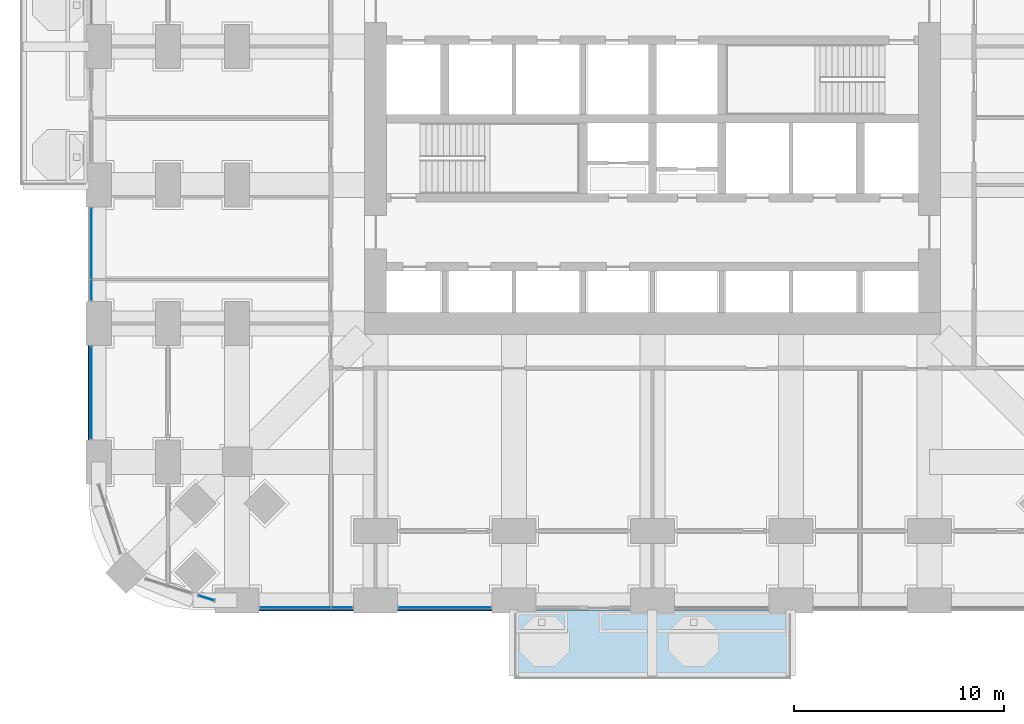
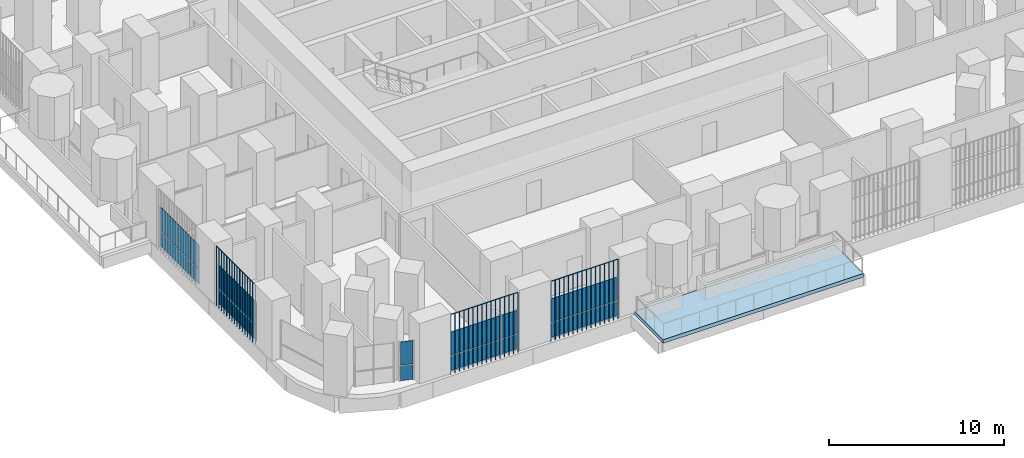
# One storey, part 11 of 26: 17 plates, 1 slab, 5 elements without a shape of their own.
"""IFC4 building model written with IfcOpenShell, lengths in metres."""

from ifc_helpers import new_model, si_unit, direction, frame, origin, origin_2d, place, context, subcontext, project, spatial, polyline, rectangle, outline, extrude, material, layer, layer_set, type_object, element, aggregate, save


model = new_model("IFC4")

# Units and contexts
model_context = context("Model", 3, precision=1e-05, world=origin(), true_north=direction((0.0, 1.0)))
body_context = subcontext(model_context, "Body", "Model", "MODEL_VIEW")
ifc_project = project(units=[si_unit("LENGTHUNIT", "METRE"), si_unit("AREAUNIT", "SQUARE_METRE"), si_unit("VOLUMEUNIT", "CUBIC_METRE"), si_unit("PLANEANGLEUNIT", "RADIAN"), si_unit("MASSUNIT", "GRAM", prefix="KILO")], contexts=[model_context])

# Site, building, storey
site_placement = place(None, origin())
site = spatial("IfcSite", under=ifc_project, at=site_placement, CompositionType="ELEMENT")
building_placement = place(site_placement, origin())
building = spatial("IfcBuilding", under=site, at=building_placement, Name="Cobogo Forest Laboratory Tower", CompositionType="ELEMENT")
storey_placement = place(building_placement, frame((0.0, 0.0, 25.5)))
storey = spatial("IfcBuildingStorey", under=building, at=storey_placement, Name="L05", CompositionType="ELEMENT", Elevation=25.5)

# Slab
ifc_material_1 = material(Name="Concrete HA-40 (C40/50)", Category="concrete")
ifc_layer_1 = layer(ifc_material_1, 0.25)
ifc_layer_set_1 = layer_set([ifc_layer_1], Name="Balcony slab 250")
slab_type = type_object("IfcSlabType", Name="Balcony slab 250", PredefinedType="FLOOR", material=ifc_layer_set_1)
slab_placement = place(storey_placement, frame((0.0, 0.0, -0.25)))
element("IfcSlab", 1, at=slab_placement, inside=storey, type_object=slab_type, Name="Balcony BAL-S1 L05", PredefinedType="FLOOR", context=body_context, shape_type="SweptSolid", body=[
    extrude(outline(polyline([(19.800048828125, -3.75), (33.0, -3.75), (33.0, -0.449951171875), (19.800048828125, -0.449951171875), (19.800048828125, -3.75)])), origin(), (0.0, 0.0, 1.0), 0.25),
])

# Curtain wall, plates
ifc_material_2 = material(Name="Aluminium curtain wall", Category="aluminium")
curtain_wall_type = type_object("IfcCurtainWallType", Name="CW-1 unitised curtain wall, clear glazing, laboratory floors zones A and B", PredefinedType="USERDEFINED", material=ifc_material_2)
curtain_wall_1_placement = place(storey_placement, origin())
curtain_wall_1 = element("IfcCurtainWall", 2, at=curtain_wall_1_placement, inside=storey, type_object=curtain_wall_type, Name="Curtain wall 01 L05", ObjectType="UNITISED CURTAIN WALL", PredefinedType="USERDEFINED")
ifc_material_3 = material(Name="Clear insulated glass", Category="glass")
ifc_layer_2 = layer(ifc_material_3, 0.028076171875)
ifc_layer_set_2 = layer_set([ifc_layer_2], Name="GP-1 clear insulated glass unit 28")
plate_type_1 = type_object("IfcPlateType", Name="GP-1 clear insulated glass unit 28", PredefinedType="CURTAIN_PANEL", material=ifc_layer_set_2)
plate_1_placement = place(storey_placement, frame((9.37744140625, -0.35009765625, 0.0), z_axis=(0.0, 0.0, 1.0), x_axis=(1.0, 0.0, 0.0)))
plate_1 = element("IfcPlate", 3, at=plate_1_placement, type_object=plate_type_1, Name="CW-1 panel 1.1", PredefinedType="CURTAIN_PANEL", context=body_context, shape_type="SweptSolid", body=[
    extrude(rectangle(XDim=3.3349609375, YDim=0.028076171875, at=origin_2d()), origin(), (0.0, 0.0, 1.0), 1.02001953125),
])
plate_2_placement = place(storey_placement, frame((9.37744140625, -0.35009765625, 1.079833984375), z_axis=(0.0, 0.0, 1.0), x_axis=(1.0, 0.0, 0.0)))
plate_2 = element("IfcPlate", 4, at=plate_2_placement, type_object=plate_type_1, Name="CW-1 panel 1.2", PredefinedType="CURTAIN_PANEL", context=body_context, shape_type="SweptSolid", body=[
    extrude(rectangle(XDim=3.3349609375, YDim=0.028076171875, at=origin_2d()), origin(), (0.0, 0.0, 1.0), 1.6201171875),
])
plate_3_placement = place(storey_placement, frame((11.597412109375, -0.35009765625, 0.0), z_axis=(0.0, 0.0, 1.0), x_axis=(1.0, 0.0, 0.0)))
plate_3 = element("IfcPlate", 5, at=plate_3_placement, type_object=plate_type_1, Name="CW-1 panel 2.1", PredefinedType="CURTAIN_PANEL", context=body_context, shape_type="SweptSolid", body=[
    extrude(rectangle(XDim=0.985107421875, YDim=0.028076171875, at=origin_2d()), origin(), (0.0, 0.0, 1.0), 1.02001953125),
])
plate_4_placement = place(storey_placement, frame((11.597412109375, -0.35009765625, 1.079833984375), z_axis=(0.0, 0.0, 1.0), x_axis=(1.0, 0.0, 0.0)))
plate_4 = element("IfcPlate", 6, at=plate_4_placement, type_object=plate_type_1, Name="CW-1 panel 2.2", PredefinedType="CURTAIN_PANEL", context=body_context, shape_type="SweptSolid", body=[
    extrude(rectangle(XDim=0.985107421875, YDim=0.028076171875, at=origin_2d()), origin(), (0.0, 0.0, 1.0), 1.6201171875),
])
aggregate(curtain_wall_1, [plate_1, plate_2, plate_3, plate_4])

curtain_wall_2_placement = place(storey_placement, origin())
curtain_wall_2 = element("IfcCurtainWall", 7, at=curtain_wall_2_placement, inside=storey, type_object=curtain_wall_type, Name="Curtain wall 02 L05", ObjectType="UNITISED CURTAIN WALL", PredefinedType="USERDEFINED")
plate_5_placement = place(storey_placement, frame((16.5, -0.35009765625, 0.0), z_axis=(0.0, 0.0, 1.0), x_axis=(1.0, 0.0, 0.0)))
plate_5 = element("IfcPlate", 8, at=plate_5_placement, type_object=plate_type_1, Name="CW-1 panel 1.1", PredefinedType="CURTAIN_PANEL", context=body_context, shape_type="SweptSolid", body=[
    extrude(rectangle(XDim=4.3798828125, YDim=0.028076171875, at=origin_2d()), origin(), (0.0, 0.0, 1.0), 1.02001953125),
])
plate_6_placement = place(storey_placement, frame((16.5, -0.35009765625, 1.079833984375), z_axis=(0.0, 0.0, 1.0), x_axis=(1.0, 0.0, 0.0)))
plate_6 = element("IfcPlate", 9, at=plate_6_placement, type_object=plate_type_1, Name="CW-1 panel 1.2", PredefinedType="CURTAIN_PANEL", context=body_context, shape_type="SweptSolid", body=[
    extrude(rectangle(XDim=4.3798828125, YDim=0.028076171875, at=origin_2d()), origin(), (0.0, 0.0, 1.0), 1.6201171875),
])
aggregate(curtain_wall_2, [plate_5, plate_6])

curtain_wall_3_placement = place(storey_placement, origin())
curtain_wall_3 = element("IfcCurtainWall", 10, at=curtain_wall_3_placement, inside=storey, type_object=curtain_wall_type, Name="Curtain wall 30 L05", ObjectType="UNITISED CURTAIN WALL", PredefinedType="USERDEFINED")
plate_7_placement = place(storey_placement, frame((-0.35009765625, 17.010009765625, 0.0), z_axis=(0.0, 0.0, 1.0), x_axis=(0.0, -1.0, 0.0)))
plate_7 = element("IfcPlate", 11, at=plate_7_placement, type_object=plate_type_1, Name="CW-1 panel 1.1", PredefinedType="CURTAIN_PANEL", context=body_context, shape_type="SweptSolid", body=[
    extrude(rectangle(XDim=3.360107421875, YDim=0.028076171875, at=origin_2d()), origin(), (0.0, 0.0, 1.0), 1.02001953125),
])
plate_8_placement = place(storey_placement, frame((-0.35009765625, 17.010009765625, 1.079833984375), z_axis=(0.0, 0.0, 1.0), x_axis=(0.0, -1.0, 0.0)))
plate_8 = element("IfcPlate", 12, at=plate_8_placement, type_object=plate_type_1, Name="CW-1 panel 1.2", PredefinedType="CURTAIN_PANEL", context=body_context, shape_type="SweptSolid", body=[
    extrude(rectangle(XDim=3.360107421875, YDim=0.028076171875, at=origin_2d()), origin(), (0.0, 0.0, 1.0), 1.6201171875),
])
plate_9_placement = place(storey_placement, frame((-0.35009765625, 14.7900390625, 0.0), z_axis=(0.0, 0.0, 1.0), x_axis=(0.0, -1.0, 0.0)))
plate_9 = element("IfcPlate", 13, at=plate_9_placement, type_object=plate_type_1, Name="CW-1 panel 2.1", PredefinedType="CURTAIN_PANEL", context=body_context, shape_type="SweptSolid", body=[
    extrude(rectangle(XDim=0.9599609375, YDim=0.028076171875, at=origin_2d()), origin(), (0.0, 0.0, 1.0), 1.02001953125),
])
plate_10_placement = place(storey_placement, frame((-0.35009765625, 14.7900390625, 1.079833984375), z_axis=(0.0, 0.0, 1.0), x_axis=(0.0, -1.0, 0.0)))
plate_10 = element("IfcPlate", 14, at=plate_10_placement, type_object=plate_type_1, Name="CW-1 panel 2.2", PredefinedType="CURTAIN_PANEL", context=body_context, shape_type="SweptSolid", body=[
    extrude(rectangle(XDim=0.9599609375, YDim=0.028076171875, at=origin_2d()), origin(), (0.0, 0.0, 1.0), 1.6201171875),
])
aggregate(curtain_wall_3, [plate_7, plate_8, plate_9, plate_10])

curtain_wall_4_placement = place(storey_placement, origin())
curtain_wall_4 = element("IfcCurtainWall", 15, at=curtain_wall_4_placement, inside=storey, type_object=curtain_wall_type, Name="Curtain wall 31 L05", ObjectType="UNITISED CURTAIN WALL", PredefinedType="USERDEFINED")
plate_11_placement = place(storey_placement, frame((-0.35009765625, 9.89990234375, 0.0), z_axis=(0.0, 0.0, 1.0), x_axis=(0.0, -1.0, 0.0)))
plate_11 = element("IfcPlate", 16, at=plate_11_placement, type_object=plate_type_1, Name="CW-1 panel 1.1", PredefinedType="CURTAIN_PANEL", context=body_context, shape_type="SweptSolid", body=[
    extrude(rectangle(XDim=4.3798828125, YDim=0.028076171875, at=origin_2d()), origin(), (0.0, 0.0, 1.0), 1.02001953125),
])
plate_12_placement = place(storey_placement, frame((-0.35009765625, 9.89990234375, 1.079833984375), z_axis=(0.0, 0.0, 1.0), x_axis=(0.0, -1.0, 0.0)))
plate_12 = element("IfcPlate", 17, at=plate_12_placement, type_object=plate_type_1, Name="CW-1 panel 1.2", PredefinedType="CURTAIN_PANEL", context=body_context, shape_type="SweptSolid", body=[
    extrude(rectangle(XDim=4.3798828125, YDim=0.028076171875, at=origin_2d()), origin(), (0.0, 0.0, 1.0), 1.6201171875),
])
aggregate(curtain_wall_4, [plate_11, plate_12])

curtain_wall_5_placement = place(storey_placement, origin())
curtain_wall_5 = element("IfcCurtainWall", 18, at=curtain_wall_5_placement, inside=storey, type_object=curtain_wall_type, Name="Curtain wall 34 L05", ObjectType="UNITISED CURTAIN WALL", PredefinedType="USERDEFINED")
plate_13_placement = place(storey_placement, frame((5.134033203125, 0.113037109375, 0.0), z_axis=(0.0, 0.0, 1.0), x_axis=(0.953581504428, -0.301135043481, 0.0)))
plate_13 = element("IfcPlate", 19, at=plate_13_placement, type_object=plate_type_1, Name="CW-1 panel 1.1", PredefinedType="CURTAIN_PANEL", context=body_context, shape_type="SweptSolid", body=[
    extrude(rectangle(XDim=0.75244140625, YDim=0.028076171875, at=origin_2d()), origin(), (0.0, 0.0, 1.0), 1.02001953125),
])
plate_14_placement = place(storey_placement, frame((5.134033203125, 0.113037109375, 1.079833984375), z_axis=(0.0, 0.0, 1.0), x_axis=(0.953581504428, -0.301135043481, 0.0)))
plate_14 = element("IfcPlate", 20, at=plate_14_placement, type_object=plate_type_1, Name="CW-1 panel 1.2", PredefinedType="CURTAIN_PANEL", context=body_context, shape_type="SweptSolid", body=[
    extrude(rectangle(XDim=0.75244140625, YDim=0.028076171875, at=origin_2d()), origin(), (0.0, 0.0, 1.0), 1.6201171875),
])
aggregate(curtain_wall_5, [plate_13, plate_14])

# Plates
ifc_material_4 = material(Name="Terracotta", Category="masonry")
plate_type_2 = type_object("IfcPlateType", Name="TB1 terracotta baguette screen", PredefinedType="USERDEFINED", material=ifc_material_4)
plate_15_placement = place(storey_placement, frame((7.68115234375, -0.477783203125, -0.14990234375)))
element("IfcPlate", 21, at=plate_15_placement, inside=storey, type_object=plate_type_2, Name="Baguette screen S1 L05", ObjectType="BAGUETTE SCREEN", PredefinedType="USERDEFINED", context=body_context, shape_type="SweptSolid", body=[
    extrude(outline(polyline([(0.02880859375, 0.011962890625), (0.011962890625, 0.02880859375), (-0.011962890625, 0.02880859375), (-0.02880859375, 0.011962890625), (-0.02880859375, -0.011962890625), (-0.011962890625, -0.02880859375), (0.011962890625, -0.02880859375), (0.02880859375, -0.011962890625), (0.02880859375, 0.011962890625)])), frame((0.0, 0.0, 4.168701171875), z_axis=(1.0, 0.0, 0.0), x_axis=(0.0, 1.0, 0.0)), (0.0, 0.0, 1.0), 4.4375),
    extrude(outline(polyline([(0.02880859375, 0.011962890625), (0.011962890625, 0.02880859375), (-0.011962890625, 0.02880859375), (-0.02880859375, 0.011962890625), (-0.02880859375, -0.011962890625), (-0.011962890625, -0.02880859375), (0.011962890625, -0.02880859375), (0.02880859375, -0.011962890625), (0.02880859375, 0.011962890625)])), origin(), (0.0, 0.0, 1.0), 4.137451171875),
    extrude(outline(polyline([(0.02880859375, 0.011962890625), (0.011962890625, 0.02880859375), (-0.011962890625, 0.02880859375), (-0.02880859375, 0.011962890625), (-0.02880859375, -0.011962890625), (-0.011962890625, -0.02880859375), (0.011962890625, -0.02880859375), (0.02880859375, -0.011962890625), (0.02880859375, 0.011962890625)])), frame((0.2958984375, 0.0, 0.0)), (0.0, 0.0, 1.0), 4.137451171875),
    extrude(outline(polyline([(0.02880859375, 0.011962890625), (0.011962890625, 0.02880859375), (-0.011962890625, 0.02880859375), (-0.02880859375, 0.011962890625), (-0.02880859375, -0.011962890625), (-0.011962890625, -0.02880859375), (0.011962890625, -0.02880859375), (0.02880859375, -0.011962890625), (0.02880859375, 0.011962890625)])), frame((0.591552734375, 0.0, 0.0)), (0.0, 0.0, 1.0), 4.137451171875),
    extrude(outline(polyline([(0.02880859375, 0.011962890625), (0.011962890625, 0.02880859375), (-0.011962890625, 0.02880859375), (-0.02880859375, 0.011962890625), (-0.02880859375, -0.011962890625), (-0.011962890625, -0.02880859375), (0.011962890625, -0.02880859375), (0.02880859375, -0.011962890625), (0.02880859375, 0.011962890625)])), frame((0.887451171875, 0.0, 0.0)), (0.0, 0.0, 1.0), 4.137451171875),
    extrude(outline(polyline([(0.02880859375, 0.011962890625), (0.011962890625, 0.02880859375), (-0.011962890625, 0.02880859375), (-0.02880859375, 0.011962890625), (-0.02880859375, -0.011962890625), (-0.011962890625, -0.02880859375), (0.011962890625, -0.02880859375), (0.02880859375, -0.011962890625), (0.02880859375, 0.011962890625)])), frame((1.183349609375, 0.0, 0.0)), (0.0, 0.0, 1.0), 4.137451171875),
    extrude(outline(polyline([(0.02880859375, 0.011962890625), (0.011962890625, 0.02880859375), (-0.011962890625, 0.02880859375), (-0.02880859375, 0.011962890625), (-0.02880859375, -0.011962890625), (-0.011962890625, -0.02880859375), (0.011962890625, -0.02880859375), (0.02880859375, -0.011962890625), (0.02880859375, 0.011962890625)])), frame((1.479248046875, 0.0, 0.0)), (0.0, 0.0, 1.0), 4.137451171875),
    extrude(outline(polyline([(0.02880859375, 0.011962890625), (0.011962890625, 0.02880859375), (-0.011962890625, 0.02880859375), (-0.02880859375, 0.011962890625), (-0.02880859375, -0.011962890625), (-0.011962890625, -0.02880859375), (0.011962890625, -0.02880859375), (0.02880859375, -0.011962890625), (0.02880859375, 0.011962890625)])), frame((1.77490234375, 0.0, 0.0)), (0.0, 0.0, 1.0), 4.137451171875),
    extrude(outline(polyline([(0.02880859375, 0.011962890625), (0.011962890625, 0.02880859375), (-0.011962890625, 0.02880859375), (-0.02880859375, 0.011962890625), (-0.02880859375, -0.011962890625), (-0.011962890625, -0.02880859375), (0.011962890625, -0.02880859375), (0.02880859375, -0.011962890625), (0.02880859375, 0.011962890625)])), frame((2.07080078125, 0.0, 0.0)), (0.0, 0.0, 1.0), 4.137451171875),
    extrude(outline(polyline([(0.02880859375, 0.011962890625), (0.011962890625, 0.02880859375), (-0.011962890625, 0.02880859375), (-0.02880859375, 0.011962890625), (-0.02880859375, -0.011962890625), (-0.011962890625, -0.02880859375), (0.011962890625, -0.02880859375), (0.02880859375, -0.011962890625), (0.02880859375, 0.011962890625)])), frame((2.36669921875, 0.0, 0.0)), (0.0, 0.0, 1.0), 4.137451171875),
    extrude(outline(polyline([(0.02880859375, 0.011962890625), (0.011962890625, 0.02880859375), (-0.011962890625, 0.02880859375), (-0.02880859375, 0.011962890625), (-0.02880859375, -0.011962890625), (-0.011962890625, -0.02880859375), (0.011962890625, -0.02880859375), (0.02880859375, -0.011962890625), (0.02880859375, 0.011962890625)])), frame((2.66259765625, 0.0, 0.0)), (0.0, 0.0, 1.0), 4.137451171875),
    extrude(outline(polyline([(0.02880859375, 0.011962890625), (0.011962890625, 0.02880859375), (-0.011962890625, 0.02880859375), (-0.02880859375, 0.011962890625), (-0.02880859375, -0.011962890625), (-0.011962890625, -0.02880859375), (0.011962890625, -0.02880859375), (0.02880859375, -0.011962890625), (0.02880859375, 0.011962890625)])), frame((2.958251953125, 0.0, 0.0)), (0.0, 0.0, 1.0), 4.137451171875),
    extrude(outline(polyline([(0.02880859375, 0.011962890625), (0.011962890625, 0.02880859375), (-0.011962890625, 0.02880859375), (-0.02880859375, 0.011962890625), (-0.02880859375, -0.011962890625), (-0.011962890625, -0.02880859375), (0.011962890625, -0.02880859375), (0.02880859375, -0.011962890625), (0.02880859375, 0.011962890625)])), frame((3.254150390625, 0.0, 0.0)), (0.0, 0.0, 1.0), 4.137451171875),
    extrude(outline(polyline([(0.02880859375, 0.011962890625), (0.011962890625, 0.02880859375), (-0.011962890625, 0.02880859375), (-0.02880859375, 0.011962890625), (-0.02880859375, -0.011962890625), (-0.011962890625, -0.02880859375), (0.011962890625, -0.02880859375), (0.02880859375, -0.011962890625), (0.02880859375, 0.011962890625)])), frame((3.550048828125, 0.0, 0.0)), (0.0, 0.0, 1.0), 4.137451171875),
    extrude(outline(polyline([(0.02880859375, 0.011962890625), (0.011962890625, 0.02880859375), (-0.011962890625, 0.02880859375), (-0.02880859375, 0.011962890625), (-0.02880859375, -0.011962890625), (-0.011962890625, -0.02880859375), (0.011962890625, -0.02880859375), (0.02880859375, -0.011962890625), (0.02880859375, 0.011962890625)])), frame((3.845947265625, 0.0, 0.0)), (0.0, 0.0, 1.0), 4.137451171875),
    extrude(outline(polyline([(0.02880859375, 0.011962890625), (0.011962890625, 0.02880859375), (-0.011962890625, 0.02880859375), (-0.02880859375, 0.011962890625), (-0.02880859375, -0.011962890625), (-0.011962890625, -0.02880859375), (0.011962890625, -0.02880859375), (0.02880859375, -0.011962890625), (0.02880859375, 0.011962890625)])), frame((4.1416015625, 0.0, 0.0)), (0.0, 0.0, 1.0), 4.137451171875),
    extrude(outline(polyline([(0.02880859375, 0.011962890625), (0.011962890625, 0.02880859375), (-0.011962890625, 0.02880859375), (-0.02880859375, 0.011962890625), (-0.02880859375, -0.011962890625), (-0.011962890625, -0.02880859375), (0.011962890625, -0.02880859375), (0.02880859375, -0.011962890625), (0.02880859375, 0.011962890625)])), frame((4.4375, 0.0, 0.0)), (0.0, 0.0, 1.0), 4.137451171875),
])
plate_16_placement = place(storey_placement, frame((14.28125, -0.477783203125, -0.14990234375)))
element("IfcPlate", 22, at=plate_16_placement, inside=storey, type_object=plate_type_2, Name="Baguette screen S2 L05", ObjectType="BAGUETTE SCREEN", PredefinedType="USERDEFINED", context=body_context, shape_type="SweptSolid", body=[
    extrude(outline(polyline([(0.02880859375, 0.011962890625), (0.011962890625, 0.02880859375), (-0.011962890625, 0.02880859375), (-0.02880859375, 0.011962890625), (-0.02880859375, -0.011962890625), (-0.011962890625, -0.02880859375), (0.011962890625, -0.02880859375), (0.02880859375, -0.011962890625), (0.02880859375, 0.011962890625)])), frame((0.0, 0.0, 4.168701171875), z_axis=(1.0, 0.0, 0.0), x_axis=(0.0, 1.0, 0.0)), (0.0, 0.0, 1.0), 4.4375),
    extrude(outline(polyline([(0.02880859375, 0.011962890625), (0.011962890625, 0.02880859375), (-0.011962890625, 0.02880859375), (-0.02880859375, 0.011962890625), (-0.02880859375, -0.011962890625), (-0.011962890625, -0.02880859375), (0.011962890625, -0.02880859375), (0.02880859375, -0.011962890625), (0.02880859375, 0.011962890625)])), origin(), (0.0, 0.0, 1.0), 4.137451171875),
    extrude(outline(polyline([(0.02880859375, 0.011962890625), (0.011962890625, 0.02880859375), (-0.011962890625, 0.02880859375), (-0.02880859375, 0.011962890625), (-0.02880859375, -0.011962890625), (-0.011962890625, -0.02880859375), (0.011962890625, -0.02880859375), (0.02880859375, -0.011962890625), (0.02880859375, 0.011962890625)])), frame((0.2958984375, 0.0, 0.0)), (0.0, 0.0, 1.0), 4.137451171875),
    extrude(outline(polyline([(0.02880859375, 0.011962890625), (0.011962890625, 0.02880859375), (-0.011962890625, 0.02880859375), (-0.02880859375, 0.011962890625), (-0.02880859375, -0.011962890625), (-0.011962890625, -0.02880859375), (0.011962890625, -0.02880859375), (0.02880859375, -0.011962890625), (0.02880859375, 0.011962890625)])), frame((0.591552734375, 0.0, 0.0)), (0.0, 0.0, 1.0), 4.137451171875),
    extrude(outline(polyline([(0.02880859375, 0.011962890625), (0.011962890625, 0.02880859375), (-0.011962890625, 0.02880859375), (-0.02880859375, 0.011962890625), (-0.02880859375, -0.011962890625), (-0.011962890625, -0.02880859375), (0.011962890625, -0.02880859375), (0.02880859375, -0.011962890625), (0.02880859375, 0.011962890625)])), frame((0.887451171875, 0.0, 0.0)), (0.0, 0.0, 1.0), 4.137451171875),
    extrude(outline(polyline([(0.02880859375, 0.011962890625), (0.011962890625, 0.02880859375), (-0.011962890625, 0.02880859375), (-0.02880859375, 0.011962890625), (-0.02880859375, -0.011962890625), (-0.011962890625, -0.02880859375), (0.011962890625, -0.02880859375), (0.02880859375, -0.011962890625), (0.02880859375, 0.011962890625)])), frame((1.183349609375, 0.0, 0.0)), (0.0, 0.0, 1.0), 4.137451171875),
    extrude(outline(polyline([(0.02880859375, 0.011962890625), (0.011962890625, 0.02880859375), (-0.011962890625, 0.02880859375), (-0.02880859375, 0.011962890625), (-0.02880859375, -0.011962890625), (-0.011962890625, -0.02880859375), (0.011962890625, -0.02880859375), (0.02880859375, -0.011962890625), (0.02880859375, 0.011962890625)])), frame((1.479248046875, 0.0, 0.0)), (0.0, 0.0, 1.0), 4.137451171875),
    extrude(outline(polyline([(0.02880859375, 0.011962890625), (0.011962890625, 0.02880859375), (-0.011962890625, 0.02880859375), (-0.02880859375, 0.011962890625), (-0.02880859375, -0.011962890625), (-0.011962890625, -0.02880859375), (0.011962890625, -0.02880859375), (0.02880859375, -0.011962890625), (0.02880859375, 0.011962890625)])), frame((1.77490234375, 0.0, 0.0)), (0.0, 0.0, 1.0), 4.137451171875),
    extrude(outline(polyline([(0.02880859375, 0.011962890625), (0.011962890625, 0.02880859375), (-0.011962890625, 0.02880859375), (-0.02880859375, 0.011962890625), (-0.02880859375, -0.011962890625), (-0.011962890625, -0.02880859375), (0.011962890625, -0.02880859375), (0.02880859375, -0.011962890625), (0.02880859375, 0.011962890625)])), frame((2.07080078125, 0.0, 0.0)), (0.0, 0.0, 1.0), 4.137451171875),
    extrude(outline(polyline([(0.02880859375, 0.011962890625), (0.011962890625, 0.02880859375), (-0.011962890625, 0.02880859375), (-0.02880859375, 0.011962890625), (-0.02880859375, -0.011962890625), (-0.011962890625, -0.02880859375), (0.011962890625, -0.02880859375), (0.02880859375, -0.011962890625), (0.02880859375, 0.011962890625)])), frame((2.36669921875, 0.0, 0.0)), (0.0, 0.0, 1.0), 4.137451171875),
    extrude(outline(polyline([(0.02880859375, 0.011962890625), (0.011962890625, 0.02880859375), (-0.011962890625, 0.02880859375), (-0.02880859375, 0.011962890625), (-0.02880859375, -0.011962890625), (-0.011962890625, -0.02880859375), (0.011962890625, -0.02880859375), (0.02880859375, -0.011962890625), (0.02880859375, 0.011962890625)])), frame((2.66259765625, 0.0, 0.0)), (0.0, 0.0, 1.0), 4.137451171875),
    extrude(outline(polyline([(0.02880859375, 0.011962890625), (0.011962890625, 0.02880859375), (-0.011962890625, 0.02880859375), (-0.02880859375, 0.011962890625), (-0.02880859375, -0.011962890625), (-0.011962890625, -0.02880859375), (0.011962890625, -0.02880859375), (0.02880859375, -0.011962890625), (0.02880859375, 0.011962890625)])), frame((2.958251953125, 0.0, 0.0)), (0.0, 0.0, 1.0), 4.137451171875),
    extrude(outline(polyline([(0.02880859375, 0.011962890625), (0.011962890625, 0.02880859375), (-0.011962890625, 0.02880859375), (-0.02880859375, 0.011962890625), (-0.02880859375, -0.011962890625), (-0.011962890625, -0.02880859375), (0.011962890625, -0.02880859375), (0.02880859375, -0.011962890625), (0.02880859375, 0.011962890625)])), frame((3.254150390625, 0.0, 0.0)), (0.0, 0.0, 1.0), 4.137451171875),
    extrude(outline(polyline([(0.02880859375, 0.011962890625), (0.011962890625, 0.02880859375), (-0.011962890625, 0.02880859375), (-0.02880859375, 0.011962890625), (-0.02880859375, -0.011962890625), (-0.011962890625, -0.02880859375), (0.011962890625, -0.02880859375), (0.02880859375, -0.011962890625), (0.02880859375, 0.011962890625)])), frame((3.550048828125, 0.0, 0.0)), (0.0, 0.0, 1.0), 4.137451171875),
    extrude(outline(polyline([(0.02880859375, 0.011962890625), (0.011962890625, 0.02880859375), (-0.011962890625, 0.02880859375), (-0.02880859375, 0.011962890625), (-0.02880859375, -0.011962890625), (-0.011962890625, -0.02880859375), (0.011962890625, -0.02880859375), (0.02880859375, -0.011962890625), (0.02880859375, 0.011962890625)])), frame((3.845947265625, 0.0, 0.0)), (0.0, 0.0, 1.0), 4.137451171875),
    extrude(outline(polyline([(0.02880859375, 0.011962890625), (0.011962890625, 0.02880859375), (-0.011962890625, 0.02880859375), (-0.02880859375, 0.011962890625), (-0.02880859375, -0.011962890625), (-0.011962890625, -0.02880859375), (0.011962890625, -0.02880859375), (0.02880859375, -0.011962890625), (0.02880859375, 0.011962890625)])), frame((4.1416015625, 0.0, 0.0)), (0.0, 0.0, 1.0), 4.137451171875),
    extrude(outline(polyline([(0.02880859375, 0.011962890625), (0.011962890625, 0.02880859375), (-0.011962890625, 0.02880859375), (-0.02880859375, 0.011962890625), (-0.02880859375, -0.011962890625), (-0.011962890625, -0.02880859375), (0.011962890625, -0.02880859375), (0.02880859375, -0.011962890625), (0.02880859375, 0.011962890625)])), frame((4.4375, 0.0, 0.0)), (0.0, 0.0, 1.0), 4.137451171875),
])
plate_17_placement = place(storey_placement, frame((-0.477783203125, 7.68115234375, -0.14990234375)))
element("IfcPlate", 23, at=plate_17_placement, inside=storey, type_object=plate_type_2, Name="Baguette screen W1 L05", ObjectType="BAGUETTE SCREEN", PredefinedType="USERDEFINED", context=body_context, shape_type="SweptSolid", body=[
    extrude(outline(polyline([(0.02880859375, 0.011962890625), (0.011962890625, 0.02880859375), (-0.011962890625, 0.02880859375), (-0.02880859375, 0.011962890625), (-0.02880859375, -0.011962890625), (-0.011962890625, -0.02880859375), (0.011962890625, -0.02880859375), (0.02880859375, -0.011962890625), (0.02880859375, 0.011962890625)])), frame((0.0, 0.0, 4.168701171875), z_axis=(0.0, 1.0, 0.0), x_axis=(-1.0, 0.0, 0.0)), (0.0, 0.0, 1.0), 4.4375),
    extrude(outline(polyline([(0.02880859375, 0.011962890625), (0.011962890625, 0.02880859375), (-0.011962890625, 0.02880859375), (-0.02880859375, 0.011962890625), (-0.02880859375, -0.011962890625), (-0.011962890625, -0.02880859375), (0.011962890625, -0.02880859375), (0.02880859375, -0.011962890625), (0.02880859375, 0.011962890625)])), origin(), (0.0, 0.0, 1.0), 4.137451171875),
    extrude(outline(polyline([(0.02880859375, 0.011962890625), (0.011962890625, 0.02880859375), (-0.011962890625, 0.02880859375), (-0.02880859375, 0.011962890625), (-0.02880859375, -0.011962890625), (-0.011962890625, -0.02880859375), (0.011962890625, -0.02880859375), (0.02880859375, -0.011962890625), (0.02880859375, 0.011962890625)])), frame((0.0, 0.2958984375, 0.0)), (0.0, 0.0, 1.0), 4.137451171875),
    extrude(outline(polyline([(0.02880859375, 0.011962890625), (0.011962890625, 0.02880859375), (-0.011962890625, 0.02880859375), (-0.02880859375, 0.011962890625), (-0.02880859375, -0.011962890625), (-0.011962890625, -0.02880859375), (0.011962890625, -0.02880859375), (0.02880859375, -0.011962890625), (0.02880859375, 0.011962890625)])), frame((0.0, 0.591552734375, 0.0)), (0.0, 0.0, 1.0), 4.137451171875),
    extrude(outline(polyline([(0.02880859375, 0.011962890625), (0.011962890625, 0.02880859375), (-0.011962890625, 0.02880859375), (-0.02880859375, 0.011962890625), (-0.02880859375, -0.011962890625), (-0.011962890625, -0.02880859375), (0.011962890625, -0.02880859375), (0.02880859375, -0.011962890625), (0.02880859375, 0.011962890625)])), frame((0.0, 0.887451171875, 0.0)), (0.0, 0.0, 1.0), 4.137451171875),
    extrude(outline(polyline([(0.02880859375, 0.011962890625), (0.011962890625, 0.02880859375), (-0.011962890625, 0.02880859375), (-0.02880859375, 0.011962890625), (-0.02880859375, -0.011962890625), (-0.011962890625, -0.02880859375), (0.011962890625, -0.02880859375), (0.02880859375, -0.011962890625), (0.02880859375, 0.011962890625)])), frame((0.0, 1.183349609375, 0.0)), (0.0, 0.0, 1.0), 4.137451171875),
    extrude(outline(polyline([(0.02880859375, 0.011962890625), (0.011962890625, 0.02880859375), (-0.011962890625, 0.02880859375), (-0.02880859375, 0.011962890625), (-0.02880859375, -0.011962890625), (-0.011962890625, -0.02880859375), (0.011962890625, -0.02880859375), (0.02880859375, -0.011962890625), (0.02880859375, 0.011962890625)])), frame((0.0, 1.479248046875, 0.0)), (0.0, 0.0, 1.0), 4.137451171875),
    extrude(outline(polyline([(0.02880859375, 0.011962890625), (0.011962890625, 0.02880859375), (-0.011962890625, 0.02880859375), (-0.02880859375, 0.011962890625), (-0.02880859375, -0.011962890625), (-0.011962890625, -0.02880859375), (0.011962890625, -0.02880859375), (0.02880859375, -0.011962890625), (0.02880859375, 0.011962890625)])), frame((0.0, 1.77490234375, 0.0)), (0.0, 0.0, 1.0), 4.137451171875),
    extrude(outline(polyline([(0.02880859375, 0.011962890625), (0.011962890625, 0.02880859375), (-0.011962890625, 0.02880859375), (-0.02880859375, 0.011962890625), (-0.02880859375, -0.011962890625), (-0.011962890625, -0.02880859375), (0.011962890625, -0.02880859375), (0.02880859375, -0.011962890625), (0.02880859375, 0.011962890625)])), frame((0.0, 2.07080078125, 0.0)), (0.0, 0.0, 1.0), 4.137451171875),
    extrude(outline(polyline([(0.02880859375, 0.011962890625), (0.011962890625, 0.02880859375), (-0.011962890625, 0.02880859375), (-0.02880859375, 0.011962890625), (-0.02880859375, -0.011962890625), (-0.011962890625, -0.02880859375), (0.011962890625, -0.02880859375), (0.02880859375, -0.011962890625), (0.02880859375, 0.011962890625)])), frame((0.0, 2.36669921875, 0.0)), (0.0, 0.0, 1.0), 4.137451171875),
    extrude(outline(polyline([(0.02880859375, 0.011962890625), (0.011962890625, 0.02880859375), (-0.011962890625, 0.02880859375), (-0.02880859375, 0.011962890625), (-0.02880859375, -0.011962890625), (-0.011962890625, -0.02880859375), (0.011962890625, -0.02880859375), (0.02880859375, -0.011962890625), (0.02880859375, 0.011962890625)])), frame((0.0, 2.66259765625, 0.0)), (0.0, 0.0, 1.0), 4.137451171875),
    extrude(outline(polyline([(0.02880859375, 0.011962890625), (0.011962890625, 0.02880859375), (-0.011962890625, 0.02880859375), (-0.02880859375, 0.011962890625), (-0.02880859375, -0.011962890625), (-0.011962890625, -0.02880859375), (0.011962890625, -0.02880859375), (0.02880859375, -0.011962890625), (0.02880859375, 0.011962890625)])), frame((0.0, 2.958251953125, 0.0)), (0.0, 0.0, 1.0), 4.137451171875),
    extrude(outline(polyline([(0.02880859375, 0.011962890625), (0.011962890625, 0.02880859375), (-0.011962890625, 0.02880859375), (-0.02880859375, 0.011962890625), (-0.02880859375, -0.011962890625), (-0.011962890625, -0.02880859375), (0.011962890625, -0.02880859375), (0.02880859375, -0.011962890625), (0.02880859375, 0.011962890625)])), frame((0.0, 3.254150390625, 0.0)), (0.0, 0.0, 1.0), 4.137451171875),
    extrude(outline(polyline([(0.02880859375, 0.011962890625), (0.011962890625, 0.02880859375), (-0.011962890625, 0.02880859375), (-0.02880859375, 0.011962890625), (-0.02880859375, -0.011962890625), (-0.011962890625, -0.02880859375), (0.011962890625, -0.02880859375), (0.02880859375, -0.011962890625), (0.02880859375, 0.011962890625)])), frame((0.0, 3.550048828125, 0.0)), (0.0, 0.0, 1.0), 4.137451171875),
    extrude(outline(polyline([(0.02880859375, 0.011962890625), (0.011962890625, 0.02880859375), (-0.011962890625, 0.02880859375), (-0.02880859375, 0.011962890625), (-0.02880859375, -0.011962890625), (-0.011962890625, -0.02880859375), (0.011962890625, -0.02880859375), (0.02880859375, -0.011962890625), (0.02880859375, 0.011962890625)])), frame((0.0, 3.845947265625, 0.0)), (0.0, 0.0, 1.0), 4.137451171875),
    extrude(outline(polyline([(0.02880859375, 0.011962890625), (0.011962890625, 0.02880859375), (-0.011962890625, 0.02880859375), (-0.02880859375, 0.011962890625), (-0.02880859375, -0.011962890625), (-0.011962890625, -0.02880859375), (0.011962890625, -0.02880859375), (0.02880859375, -0.011962890625), (0.02880859375, 0.011962890625)])), frame((0.0, 4.1416015625, 0.0)), (0.0, 0.0, 1.0), 4.137451171875),
    extrude(outline(polyline([(0.02880859375, 0.011962890625), (0.011962890625, 0.02880859375), (-0.011962890625, 0.02880859375), (-0.02880859375, 0.011962890625), (-0.02880859375, -0.011962890625), (-0.011962890625, -0.02880859375), (0.011962890625, -0.02880859375), (0.02880859375, -0.011962890625), (0.02880859375, 0.011962890625)])), frame((0.0, 4.4375, 0.0)), (0.0, 0.0, 1.0), 4.137451171875),
])

save(model, "model.ifc")
